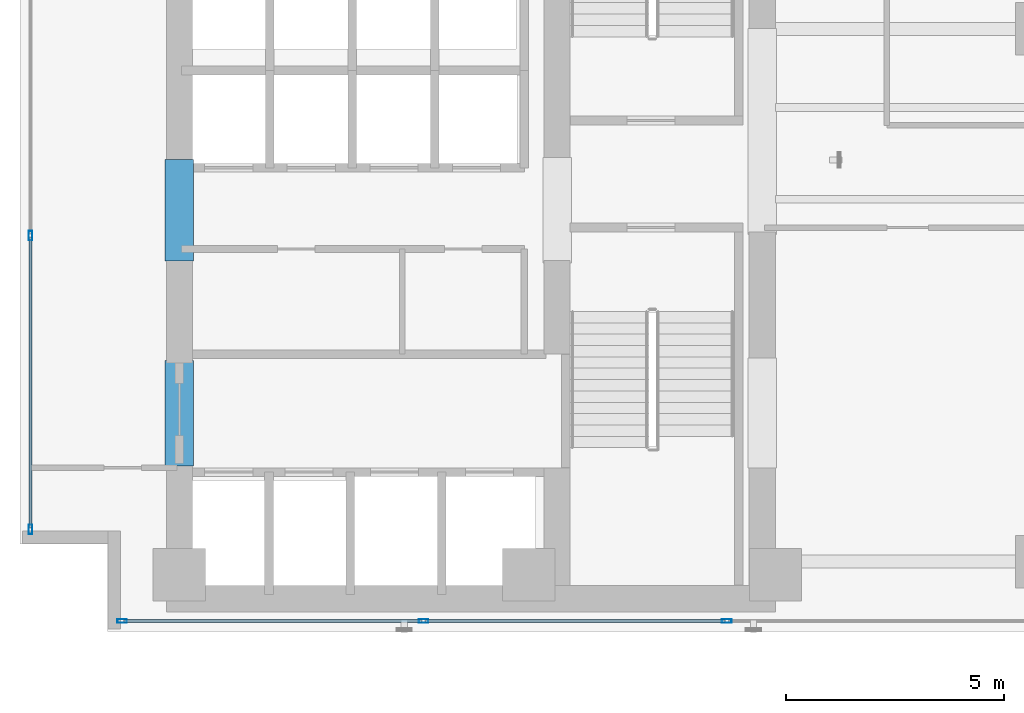
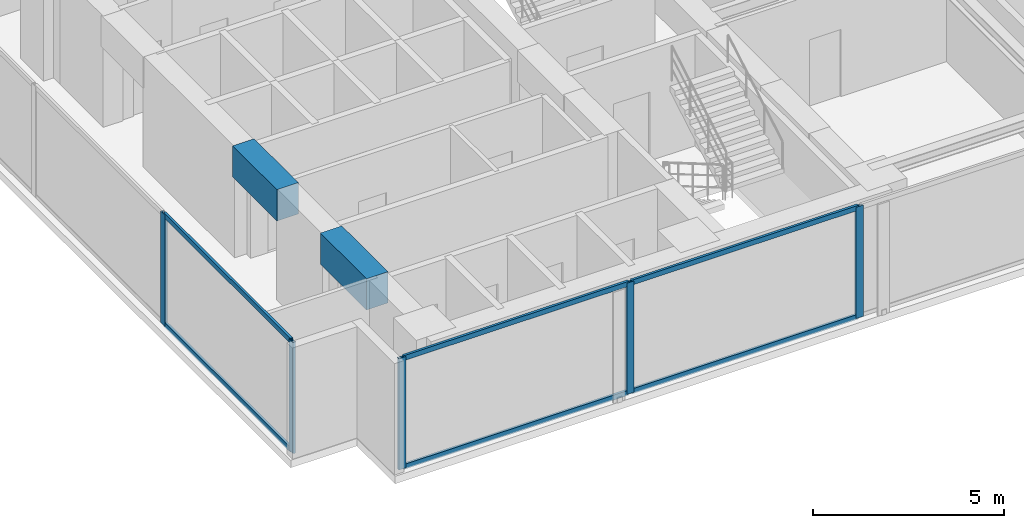
# One storey, part 2 of 26: 11 members, 2 beams, 2 elements without a shape of their own.
"""IFC4 building model written with IfcOpenShell, lengths in metres."""

from ifc_helpers import new_model, si_unit, direction, frame, origin, origin_with_axes, origin_2d, place, context, subcontext, project, spatial, rectangle, hollow_rectangle, extrude, source, transform, mapped, material, layer, layer_set, material_profile, profile_set, type_object, element, aggregate, save


model = new_model("IFC4")

# Units and contexts
model_context = context("Model", 3, precision=1e-05, world=origin(), true_north=direction((0.0, 1.0)))
body_context = subcontext(model_context, "Body", "Model", "MODEL_VIEW")
ifc_project = project(units=[si_unit("LENGTHUNIT", "METRE"), si_unit("AREAUNIT", "SQUARE_METRE"), si_unit("VOLUMEUNIT", "CUBIC_METRE"), si_unit("PLANEANGLEUNIT", "RADIAN"), si_unit("MASSUNIT", "GRAM", prefix="KILO")], contexts=[model_context])

# Site, building, storey
site_placement = place(None, origin())
site = spatial("IfcSite", under=ifc_project, at=site_placement, CompositionType="ELEMENT")
building_placement = place(site_placement, origin())
building = spatial("IfcBuilding", under=site, at=building_placement, Name="Kolvaren Waterfront Exchange", CompositionType="ELEMENT")
storey_placement = place(building_placement, frame((0.0, 0.0, 165.199951171875)))
storey = spatial("IfcBuildingStorey", under=building, at=storey_placement, Name="L42", CompositionType="ELEMENT", Elevation=165.199951171875)

# Beams
ifc_material_1 = material(Name="Concrete C60/75", Category="concrete")
ifc_material_profile_1 = material_profile(ifc_material_1, rectangle(XDim=0.64990234375, YDim=1.0, at=origin_2d()), Name="RC-CB-1000x650")
ifc_profile_set_1 = profile_set([ifc_material_profile_1], Name="Concrete C60/75")
beam_type = type_object("IfcBeamType", Name="STR-CB-1000", PredefinedType="SPANDREL", material=ifc_profile_set_1)
beam_1_placement = place(storey_placement, frame((7.449951171875, 7.389892578125, 3.06005859375), z_axis=(0.0, 1.0, 0.0), x_axis=(-1.0, 0.0, 0.0)))
element("IfcBeam", 1, at=beam_1_placement, inside=storey, type_object=beam_type, Name="L42 core coupling beam 3", PredefinedType="SPANDREL", context=body_context, shape_type="SweptSolid", body=[
    extrude(rectangle(XDim=0.64990234375, YDim=1.0, at=origin_2d()), origin(), (0.0, 0.0, 1.0), 2.420166015625),
])
beam_2_placement = place(storey_placement, frame((7.449951171875, 12.090087890625, 3.06005859375), z_axis=(0.0, 1.0, 0.0), x_axis=(-1.0, 0.0, 0.0)))
element("IfcBeam", 2, at=beam_2_placement, inside=storey, type_object=beam_type, Name="L42 core coupling beam 4", PredefinedType="SPANDREL", context=body_context, shape_type="SweptSolid", body=[
    extrude(rectangle(XDim=0.64990234375, YDim=1.0, at=origin_2d()), origin(), (0.0, 0.0, 1.0), 2.31982421875),
])

# Curtain wall, members
ifc_material_2 = material(Name="Anodised bronze aluminium 6063-T6", Category="aluminium")
ifc_layer_1 = layer(ifc_material_2, 0.219970703125, Name="Anodised bronze aluminium 6063-T6")
ifc_layer_set_1 = layer_set([ifc_layer_1], Name="Anodised bronze aluminium 6063-T6")
curtain_wall_type_1 = type_object("IfcCurtainWallType", Name="ARC-CW-SYS1", PredefinedType="USERDEFINED", material=ifc_layer_set_1)
curtain_wall_1_placement = place(storey_placement, origin())
curtain_wall_1 = element("IfcCurtainWall", 3, at=curtain_wall_1_placement, inside=storey, type_object=curtain_wall_type_1, Name="L42 stick curtain wall CW1 (CW-L42-S)", ObjectType="STICK CURTAIN WALL", PredefinedType="USERDEFINED")
ifc_material_3 = material(Name="Anodised aluminium 6063-T6", Category="aluminium")
ifc_material_profile_2 = material_profile(ifc_material_3, hollow_rectangle(XDim=0.080078125, YDim=0.219970703125, WallThickness=0.0048828125, at=origin_2d()), Name="ALU-MUL-220x80x5")
ifc_profile_set_2 = profile_set([ifc_material_profile_2], Name="Anodised aluminium 6063-T6")
member_type_1 = type_object("IfcMemberType", Name="ARC-CWM-220", PredefinedType="MULLION", material=ifc_profile_set_2)
shared_shape_1 = source(origin_with_axes(), body_context, "Body", "SweptSolid", [
    extrude(hollow_rectangle(XDim=0.080078125, YDim=0.219970703125, WallThickness=0.0048828125, at=origin_2d()), origin(), (0.0, 0.0, 1.0), 3.56005859375),
])
member_1_placement = place(storey_placement, frame((6.139892578125, 3.840087890625, 0.0), z_axis=(0.0, 0.0, 1.0), x_axis=(0.0, 1.0, 0.0)))
member_1 = element("IfcMember", 4, at=member_1_placement, type_object=member_type_1, Name="CW1 mullion 1", PredefinedType="MULLION", context=body_context, shape_type="MappedRepresentation", body=[
    mapped(shared_shape_1, transform((0.0, 0.0, 0.0), x_axis=(1.0, 0.0, 0.0), y_axis=(0.0, 1.0, 0.0), z_axis=(0.0, 0.0, 1.0), scale=1.0)),
])
member_2_placement = place(storey_placement, frame((13.04296875, 3.840087890625, 0.0), z_axis=(0.0, 0.0, 1.0), x_axis=(0.0, 1.0, 0.0)))
member_2 = element("IfcMember", 5, at=member_2_placement, type_object=member_type_1, Name="CW1 mullion 2", PredefinedType="MULLION", context=body_context, shape_type="MappedRepresentation", body=[
    mapped(shared_shape_1, transform((0.0, 0.0, 0.0), x_axis=(1.0, 0.0, 0.0), y_axis=(0.0, 1.0, 0.0), z_axis=(0.0, 0.0, 1.0), scale=1.0)),
])
member_3_placement = place(storey_placement, frame((19.985595703125, 3.840087890625, 0.0), z_axis=(0.0, 0.0, 1.0), x_axis=(0.0, 1.0, 0.0)))
member_3 = element("IfcMember", 6, at=member_3_placement, type_object=member_type_1, Name="CW1 mullion 3", PredefinedType="MULLION", context=body_context, shape_type="MappedRepresentation", body=[
    mapped(shared_shape_1, transform((0.0, 0.0, 0.0), x_axis=(1.0, 0.0, 0.0), y_axis=(0.0, 1.0, 0.0), z_axis=(0.0, 0.0, 1.0), scale=1.0)),
])

ifc_layer_2 = layer(ifc_material_3, 0.219970703125, Name="Anodised aluminium 6063-T6")
ifc_layer_set_2 = layer_set([ifc_layer_2], Name="Anodised aluminium 6063-T6")
curtain_wall_type_2 = type_object("IfcCurtainWallType", Name="ARC-CW-SYS2", PredefinedType="USERDEFINED", material=ifc_layer_set_2)
curtain_wall_2_placement = place(storey_placement, origin())
curtain_wall_2 = element("IfcCurtainWall", 7, at=curtain_wall_2_placement, inside=storey, type_object=curtain_wall_type_2, Name="L42 stick curtain wall CW2 (CW-L42-W)", ObjectType="STICK CURTAIN WALL", PredefinedType="USERDEFINED")
member_4_placement = place(storey_placement, frame((4.0400390625, 5.93994140625, 0.0), z_axis=(0.0, 0.0, 1.0), x_axis=(-1.0, 0.0, 0.0)))
member_4 = element("IfcMember", 8, at=member_4_placement, type_object=member_type_1, Name="CW2 mullion 1", PredefinedType="MULLION", context=body_context, shape_type="MappedRepresentation", body=[
    mapped(shared_shape_1, transform((0.0, 0.0, 0.0), x_axis=(1.0, 0.0, 0.0), y_axis=(0.0, 1.0, 0.0), z_axis=(0.0, 0.0, 1.0), scale=1.0)),
])
member_5_placement = place(storey_placement, frame((4.0400390625, 12.666748046875, 0.0), z_axis=(0.0, 0.0, 1.0), x_axis=(-1.0, 0.0, 0.0)))
member_5 = element("IfcMember", 9, at=member_5_placement, type_object=member_type_1, Name="CW2 mullion 2", PredefinedType="MULLION", context=body_context, shape_type="MappedRepresentation", body=[
    mapped(shared_shape_1, transform((0.0, 0.0, 0.0), x_axis=(1.0, 0.0, 0.0), y_axis=(0.0, 1.0, 0.0), z_axis=(0.0, 0.0, 1.0), scale=1.0)),
])

# Member
ifc_material_profile_3 = material_profile(ifc_material_3, hollow_rectangle(XDim=0.074951171875, YDim=0.159912109375, WallThickness=0.00439453125, at=origin_2d()), Name="ALU-TRN-160x75x4.5")
ifc_profile_set_3 = profile_set([ifc_material_profile_3], Name="Anodised aluminium 6063-T6")
member_type_2 = type_object("IfcMemberType", Name="ARC-CWT-160", PredefinedType="USERDEFINED", material=ifc_profile_set_3)
shared_shape_2 = source(origin_with_axes(), body_context, "Body", "SweptSolid", [
    extrude(hollow_rectangle(XDim=0.074951171875, YDim=0.159912109375, WallThickness=0.00439453125, at=origin_2d()), origin(), (0.0, 0.0, 1.0), 6.822998046875),
])
member_6_placement = place(storey_placement, frame((6.179931640625, 3.840087890625, 0.03759765625), z_axis=(1.0, 0.0, 0.0), x_axis=(0.0, 1.0, 0.0)))
member_6 = element("IfcMember", 10, at=member_6_placement, type_object=member_type_2, Name="CW1 transom 1.1", ObjectType="TRANSOM", PredefinedType="USERDEFINED", context=body_context, shape_type="MappedRepresentation", body=[
    mapped(shared_shape_2, transform((0.0, 0.0, 0.0), x_axis=(1.0, 0.0, 0.0), y_axis=(0.0, 1.0, 0.0), z_axis=(0.0, 0.0, 1.0), scale=1.0)),
])

member_7_placement = place(storey_placement, frame((6.179931640625, 3.840087890625, 3.5224609375), z_axis=(1.0, 0.0, 0.0), x_axis=(0.0, 1.0, 0.0)))
member_7 = element("IfcMember", 11, at=member_7_placement, type_object=member_type_2, Name="CW1 transom 1.2", ObjectType="TRANSOM", PredefinedType="USERDEFINED", context=body_context, shape_type="MappedRepresentation", body=[
    mapped(shared_shape_2, transform((0.0, 0.0, 0.0), x_axis=(1.0, 0.0, 0.0), y_axis=(0.0, 1.0, 0.0), z_axis=(0.0, 0.0, 1.0), scale=1.0)),
])

shared_shape_3 = source(origin_with_axes(), body_context, "Body", "SweptSolid", [
    extrude(hollow_rectangle(XDim=0.074951171875, YDim=0.159912109375, WallThickness=0.00439453125, at=origin_2d()), origin(), (0.0, 0.0, 1.0), 6.863037109375),
])
member_8_placement = place(storey_placement, frame((13.082763671875, 3.840087890625, 0.03759765625), z_axis=(1.0, 0.0, 0.0), x_axis=(0.0, 1.0, 0.0)))
member_8 = element("IfcMember", 12, at=member_8_placement, type_object=member_type_2, Name="CW1 transom 2.1", ObjectType="TRANSOM", PredefinedType="USERDEFINED", context=body_context, shape_type="MappedRepresentation", body=[
    mapped(shared_shape_3, transform((0.0, 0.0, 0.0), x_axis=(1.0, 0.0, 0.0), y_axis=(0.0, 1.0, 0.0), z_axis=(0.0, 0.0, 1.0), scale=1.0)),
])

member_9_placement = place(storey_placement, frame((13.082763671875, 3.840087890625, 3.5224609375), z_axis=(1.0, 0.0, 0.0), x_axis=(0.0, 1.0, 0.0)))
member_9 = element("IfcMember", 13, at=member_9_placement, type_object=member_type_2, Name="CW1 transom 2.2", ObjectType="TRANSOM", PredefinedType="USERDEFINED", context=body_context, shape_type="MappedRepresentation", body=[
    mapped(shared_shape_3, transform((0.0, 0.0, 0.0), x_axis=(1.0, 0.0, 0.0), y_axis=(0.0, 1.0, 0.0), z_axis=(0.0, 0.0, 1.0), scale=1.0)),
])

aggregate(curtain_wall_1, [member_1, member_2, member_3, member_6, member_7, member_8, member_9])

shared_shape_4 = source(origin_with_axes(), body_context, "Body", "SweptSolid", [
    extrude(hollow_rectangle(XDim=0.074951171875, YDim=0.159912109375, WallThickness=0.00439453125, at=origin_2d()), origin(), (0.0, 0.0, 1.0), 6.646728515625),
])
member_10_placement = place(storey_placement, frame((4.0400390625, 5.97998046875, 0.03759765625), z_axis=(0.0, 1.0, 0.0), x_axis=(-1.0, 0.0, 0.0)))
member_10 = element("IfcMember", 14, at=member_10_placement, type_object=member_type_2, Name="CW2 transom 1.1", ObjectType="TRANSOM", PredefinedType="USERDEFINED", context=body_context, shape_type="MappedRepresentation", body=[
    mapped(shared_shape_4, transform((0.0, 0.0, 0.0), x_axis=(1.0, 0.0, 0.0), y_axis=(0.0, 1.0, 0.0), z_axis=(0.0, 0.0, 1.0), scale=1.0)),
])

member_11_placement = place(storey_placement, frame((4.0400390625, 5.97998046875, 3.5224609375), z_axis=(0.0, 1.0, 0.0), x_axis=(-1.0, 0.0, 0.0)))
member_11 = element("IfcMember", 15, at=member_11_placement, type_object=member_type_2, Name="CW2 transom 1.2", ObjectType="TRANSOM", PredefinedType="USERDEFINED", context=body_context, shape_type="MappedRepresentation", body=[
    mapped(shared_shape_4, transform((0.0, 0.0, 0.0), x_axis=(1.0, 0.0, 0.0), y_axis=(0.0, 1.0, 0.0), z_axis=(0.0, 0.0, 1.0), scale=1.0)),
])

aggregate(curtain_wall_2, [member_4, member_5, member_10, member_11])

save(model, "model.ifc")
